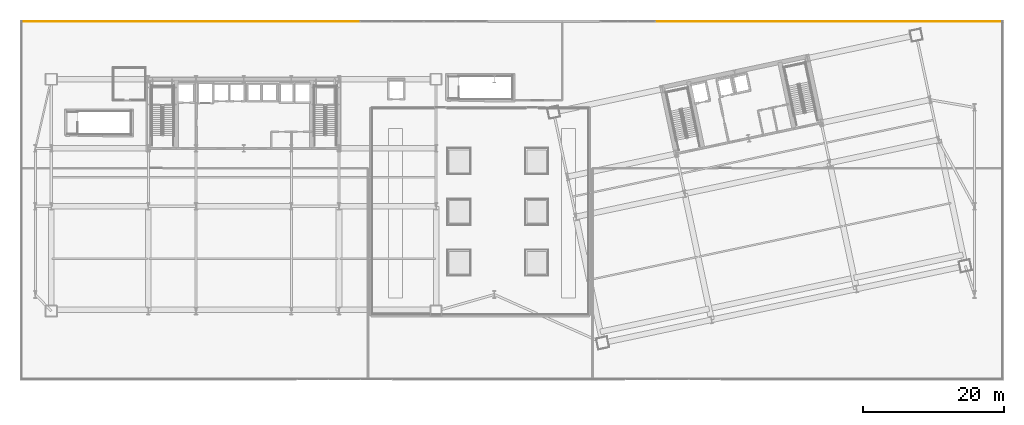
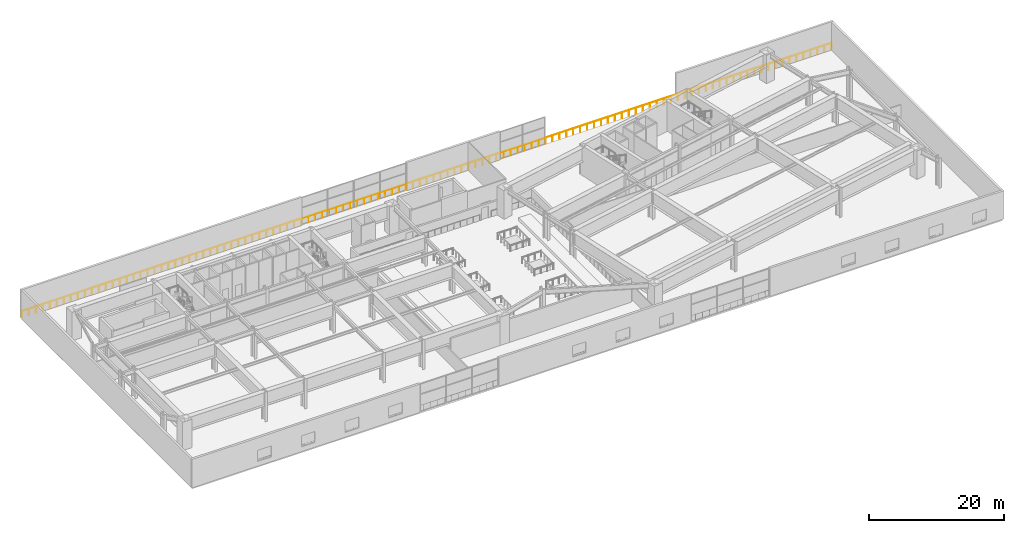
# One storey, part 27 of 29: 1 railing.
"""IFC4 building model written with IfcOpenShell, lengths in metres."""

from ifc_helpers import new_model, si_unit, direction, frame, origin, origin_2d, place, context, subcontext, project, spatial, rectangle, extrude, material, type_object, element, save


model = new_model("IFC4")

# Units and contexts
model_context = context("Model", 3, precision=1e-05, world=origin(), true_north=direction((0.0, 1.0)))
body_context = subcontext(model_context, "Body", "Model", "MODEL_VIEW")
ifc_project = project(units=[si_unit("LENGTHUNIT", "METRE"), si_unit("AREAUNIT", "SQUARE_METRE"), si_unit("VOLUMEUNIT", "CUBIC_METRE"), si_unit("PLANEANGLEUNIT", "RADIAN"), si_unit("MASSUNIT", "GRAM", prefix="KILO")], contexts=[model_context])

# Site, building, storey
site_placement = place(None, origin())
site = spatial("IfcSite", under=ifc_project, at=site_placement, CompositionType="ELEMENT")
building_placement = place(site_placement, origin())
building = spatial("IfcBuilding", under=site, at=building_placement, Name="Haevon Station Towers", CompositionType="ELEMENT")
storey_placement = place(building_placement, frame((0.0, 0.0, 25.199951171875)))
storey = spatial("IfcBuildingStorey", under=building, at=storey_placement, Name="L05", CompositionType="ELEMENT", Elevation=25.199951171875)

# Railing
ifc_material = material(Name="Steel S355", Category="steel")
railing_type = type_object("IfcRailingType", Name="GRD-EXT1200", PredefinedType="GUARDRAIL", material=ifc_material)
railing_placement = place(storey_placement, frame((144.9248046875, 56.172607421875, 0.0)))
element("IfcRailing", 1, at=railing_placement, inside=storey, type_object=railing_type, Name="L05 Perimeter Guardrail 3", PredefinedType="GUARDRAIL", context=body_context, shape_type="SweptSolid", body=[
    extrude(rectangle(XDim=0.048095703125, YDim=0.048095703125, at=origin_2d()), frame((0.0, 0.0, 1.17578125), z_axis=(-1.0, 0.0, 0.0), x_axis=(0.0, -1.0, 0.0)), (0.0, 0.0, 1.0), 138.849609375),
    extrude(rectangle(XDim=0.0419921875, YDim=0.0419921875, at=origin_2d()), origin(), (0.0, 0.0, 1.0), 1.15185546875),
    extrude(rectangle(XDim=0.0419921875, YDim=0.0419921875, at=origin_2d()), frame((-1.197021484375, 0.0, 0.0)), (0.0, 0.0, 1.0), 1.15185546875),
    extrude(rectangle(XDim=0.0419921875, YDim=0.0419921875, at=origin_2d()), frame((-2.39404296875, 0.0, 0.0)), (0.0, 0.0, 1.0), 1.15185546875),
    extrude(rectangle(XDim=0.0419921875, YDim=0.0419921875, at=origin_2d()), frame((-3.5908203125, 0.0, 0.0)), (0.0, 0.0, 1.0), 1.15185546875),
    extrude(rectangle(XDim=0.0419921875, YDim=0.0419921875, at=origin_2d()), frame((-4.787841796875, 0.0, 0.0)), (0.0, 0.0, 1.0), 1.15185546875),
    extrude(rectangle(XDim=0.0419921875, YDim=0.0419921875, at=origin_2d()), frame((-5.98486328125, 0.0, 0.0)), (0.0, 0.0, 1.0), 1.15185546875),
    extrude(rectangle(XDim=0.0419921875, YDim=0.0419921875, at=origin_2d()), frame((-7.181884765625, 0.0, 0.0)), (0.0, 0.0, 1.0), 1.15185546875),
    extrude(rectangle(XDim=0.0419921875, YDim=0.0419921875, at=origin_2d()), frame((-8.37890625, 0.0, 0.0)), (0.0, 0.0, 1.0), 1.15185546875),
    extrude(rectangle(XDim=0.0419921875, YDim=0.0419921875, at=origin_2d()), frame((-9.575927734375, 0.0, 0.0)), (0.0, 0.0, 1.0), 1.15185546875),
    extrude(rectangle(XDim=0.0419921875, YDim=0.0419921875, at=origin_2d()), frame((-10.772705078125, 0.0, 0.0)), (0.0, 0.0, 1.0), 1.15185546875),
    extrude(rectangle(XDim=0.0419921875, YDim=0.0419921875, at=origin_2d()), frame((-11.9697265625, 0.0, 0.0)), (0.0, 0.0, 1.0), 1.15185546875),
    extrude(rectangle(XDim=0.0419921875, YDim=0.0419921875, at=origin_2d()), frame((-13.166748046875, 0.0, 0.0)), (0.0, 0.0, 1.0), 1.15185546875),
    extrude(rectangle(XDim=0.0419921875, YDim=0.0419921875, at=origin_2d()), frame((-14.36376953125, 0.0, 0.0)), (0.0, 0.0, 1.0), 1.15185546875),
    extrude(rectangle(XDim=0.0419921875, YDim=0.0419921875, at=origin_2d()), frame((-15.560791015625, 0.0, 0.0)), (0.0, 0.0, 1.0), 1.15185546875),
    extrude(rectangle(XDim=0.0419921875, YDim=0.0419921875, at=origin_2d()), frame((-16.7578125, 0.0, 0.0)), (0.0, 0.0, 1.0), 1.15185546875),
    extrude(rectangle(XDim=0.0419921875, YDim=0.0419921875, at=origin_2d()), frame((-17.95458984375, 0.0, 0.0)), (0.0, 0.0, 1.0), 1.15185546875),
    extrude(rectangle(XDim=0.0419921875, YDim=0.0419921875, at=origin_2d()), frame((-19.151611328125, 0.0, 0.0)), (0.0, 0.0, 1.0), 1.15185546875),
    extrude(rectangle(XDim=0.0419921875, YDim=0.0419921875, at=origin_2d()), frame((-20.3486328125, 0.0, 0.0)), (0.0, 0.0, 1.0), 1.15185546875),
    extrude(rectangle(XDim=0.0419921875, YDim=0.0419921875, at=origin_2d()), frame((-21.545654296875, 0.0, 0.0)), (0.0, 0.0, 1.0), 1.15185546875),
    extrude(rectangle(XDim=0.0419921875, YDim=0.0419921875, at=origin_2d()), frame((-22.74267578125, 0.0, 0.0)), (0.0, 0.0, 1.0), 1.15185546875),
    extrude(rectangle(XDim=0.0419921875, YDim=0.0419921875, at=origin_2d()), frame((-23.939697265625, 0.0, 0.0)), (0.0, 0.0, 1.0), 1.15185546875),
    extrude(rectangle(XDim=0.0419921875, YDim=0.0419921875, at=origin_2d()), frame((-25.136474609375, 0.0, 0.0)), (0.0, 0.0, 1.0), 1.15185546875),
    extrude(rectangle(XDim=0.0419921875, YDim=0.0419921875, at=origin_2d()), frame((-26.33349609375, 0.0, 0.0)), (0.0, 0.0, 1.0), 1.15185546875),
    extrude(rectangle(XDim=0.0419921875, YDim=0.0419921875, at=origin_2d()), frame((-27.530517578125, 0.0, 0.0)), (0.0, 0.0, 1.0), 1.15185546875),
    extrude(rectangle(XDim=0.0419921875, YDim=0.0419921875, at=origin_2d()), frame((-28.7275390625, 0.0, 0.0)), (0.0, 0.0, 1.0), 1.15185546875),
    extrude(rectangle(XDim=0.0419921875, YDim=0.0419921875, at=origin_2d()), frame((-29.924560546875, 0.0, 0.0)), (0.0, 0.0, 1.0), 1.15185546875),
    extrude(rectangle(XDim=0.0419921875, YDim=0.0419921875, at=origin_2d()), frame((-31.12158203125, 0.0, 0.0)), (0.0, 0.0, 1.0), 1.15185546875),
    extrude(rectangle(XDim=0.0419921875, YDim=0.0419921875, at=origin_2d()), frame((-32.318359375, 0.0, 0.0)), (0.0, 0.0, 1.0), 1.15185546875),
    extrude(rectangle(XDim=0.0419921875, YDim=0.0419921875, at=origin_2d()), frame((-33.515380859375, 0.0, 0.0)), (0.0, 0.0, 1.0), 1.15185546875),
    extrude(rectangle(XDim=0.0419921875, YDim=0.0419921875, at=origin_2d()), frame((-34.71240234375, 0.0, 0.0)), (0.0, 0.0, 1.0), 1.15185546875),
    extrude(rectangle(XDim=0.0419921875, YDim=0.0419921875, at=origin_2d()), frame((-35.909423828125, 0.0, 0.0)), (0.0, 0.0, 1.0), 1.15185546875),
    extrude(rectangle(XDim=0.0419921875, YDim=0.0419921875, at=origin_2d()), frame((-37.1064453125, 0.0, 0.0)), (0.0, 0.0, 1.0), 1.15185546875),
    extrude(rectangle(XDim=0.0419921875, YDim=0.0419921875, at=origin_2d()), frame((-38.30322265625, 0.0, 0.0)), (0.0, 0.0, 1.0), 1.15185546875),
    extrude(rectangle(XDim=0.0419921875, YDim=0.0419921875, at=origin_2d()), frame((-39.500244140625, 0.0, 0.0)), (0.0, 0.0, 1.0), 1.15185546875),
    extrude(rectangle(XDim=0.0419921875, YDim=0.0419921875, at=origin_2d()), frame((-40.697265625, 0.0, 0.0)), (0.0, 0.0, 1.0), 1.15185546875),
    extrude(rectangle(XDim=0.0419921875, YDim=0.0419921875, at=origin_2d()), frame((-41.894287109375, 0.0, 0.0)), (0.0, 0.0, 1.0), 1.15185546875),
    extrude(rectangle(XDim=0.0419921875, YDim=0.0419921875, at=origin_2d()), frame((-43.09130859375, 0.0, 0.0)), (0.0, 0.0, 1.0), 1.15185546875),
    extrude(rectangle(XDim=0.0419921875, YDim=0.0419921875, at=origin_2d()), frame((-44.288330078125, 0.0, 0.0)), (0.0, 0.0, 1.0), 1.15185546875),
    extrude(rectangle(XDim=0.0419921875, YDim=0.0419921875, at=origin_2d()), frame((-45.485107421875, 0.0, 0.0)), (0.0, 0.0, 1.0), 1.15185546875),
    extrude(rectangle(XDim=0.0419921875, YDim=0.0419921875, at=origin_2d()), frame((-46.68212890625, 0.0, 0.0)), (0.0, 0.0, 1.0), 1.15185546875),
    extrude(rectangle(XDim=0.0419921875, YDim=0.0419921875, at=origin_2d()), frame((-47.879150390625, 0.0, 0.0)), (0.0, 0.0, 1.0), 1.15185546875),
    extrude(rectangle(XDim=0.0419921875, YDim=0.0419921875, at=origin_2d()), frame((-49.076171875, 0.0, 0.0)), (0.0, 0.0, 1.0), 1.15185546875),
    extrude(rectangle(XDim=0.0419921875, YDim=0.0419921875, at=origin_2d()), frame((-50.273193359375, 0.0, 0.0)), (0.0, 0.0, 1.0), 1.15185546875),
    extrude(rectangle(XDim=0.0419921875, YDim=0.0419921875, at=origin_2d()), frame((-51.47021484375, 0.0, 0.0)), (0.0, 0.0, 1.0), 1.15185546875),
    extrude(rectangle(XDim=0.0419921875, YDim=0.0419921875, at=origin_2d()), frame((-52.6669921875, 0.0, 0.0)), (0.0, 0.0, 1.0), 1.15185546875),
    extrude(rectangle(XDim=0.0419921875, YDim=0.0419921875, at=origin_2d()), frame((-53.864013671875, 0.0, 0.0)), (0.0, 0.0, 1.0), 1.15185546875),
    extrude(rectangle(XDim=0.0419921875, YDim=0.0419921875, at=origin_2d()), frame((-55.06103515625, 0.0, 0.0)), (0.0, 0.0, 1.0), 1.15185546875),
    extrude(rectangle(XDim=0.0419921875, YDim=0.0419921875, at=origin_2d()), frame((-56.258056640625, 0.0, 0.0)), (0.0, 0.0, 1.0), 1.15185546875),
    extrude(rectangle(XDim=0.0419921875, YDim=0.0419921875, at=origin_2d()), frame((-57.455078125, 0.0, 0.0)), (0.0, 0.0, 1.0), 1.15185546875),
    extrude(rectangle(XDim=0.0419921875, YDim=0.0419921875, at=origin_2d()), frame((-58.652099609375, 0.0, 0.0)), (0.0, 0.0, 1.0), 1.15185546875),
    extrude(rectangle(XDim=0.0419921875, YDim=0.0419921875, at=origin_2d()), frame((-59.848876953125, 0.0, 0.0)), (0.0, 0.0, 1.0), 1.15185546875),
    extrude(rectangle(XDim=0.0419921875, YDim=0.0419921875, at=origin_2d()), frame((-61.0458984375, 0.0, 0.0)), (0.0, 0.0, 1.0), 1.15185546875),
    extrude(rectangle(XDim=0.0419921875, YDim=0.0419921875, at=origin_2d()), frame((-62.242919921875, 0.0, 0.0)), (0.0, 0.0, 1.0), 1.15185546875),
    extrude(rectangle(XDim=0.0419921875, YDim=0.0419921875, at=origin_2d()), frame((-63.43994140625, 0.0, 0.0)), (0.0, 0.0, 1.0), 1.15185546875),
    extrude(rectangle(XDim=0.0419921875, YDim=0.0419921875, at=origin_2d()), frame((-64.636962890625, 0.0, 0.0)), (0.0, 0.0, 1.0), 1.15185546875),
    extrude(rectangle(XDim=0.0419921875, YDim=0.0419921875, at=origin_2d()), frame((-65.833984375, 0.0, 0.0)), (0.0, 0.0, 1.0), 1.15185546875),
    extrude(rectangle(XDim=0.0419921875, YDim=0.0419921875, at=origin_2d()), frame((-67.03076171875, 0.0, 0.0)), (0.0, 0.0, 1.0), 1.15185546875),
    extrude(rectangle(XDim=0.0419921875, YDim=0.0419921875, at=origin_2d()), frame((-68.227783203125, 0.0, 0.0)), (0.0, 0.0, 1.0), 1.15185546875),
    extrude(rectangle(XDim=0.0419921875, YDim=0.0419921875, at=origin_2d()), frame((-69.4248046875, 0.0, 0.0)), (0.0, 0.0, 1.0), 1.15185546875),
    extrude(rectangle(XDim=0.0419921875, YDim=0.0419921875, at=origin_2d()), frame((-70.621826171875, 0.0, 0.0)), (0.0, 0.0, 1.0), 1.15185546875),
    extrude(rectangle(XDim=0.0419921875, YDim=0.0419921875, at=origin_2d()), frame((-71.81884765625, 0.0, 0.0)), (0.0, 0.0, 1.0), 1.15185546875),
    extrude(rectangle(XDim=0.0419921875, YDim=0.0419921875, at=origin_2d()), frame((-73.015625, 0.0, 0.0)), (0.0, 0.0, 1.0), 1.15185546875),
    extrude(rectangle(XDim=0.0419921875, YDim=0.0419921875, at=origin_2d()), frame((-74.212646484375, 0.0, 0.0)), (0.0, 0.0, 1.0), 1.15185546875),
    extrude(rectangle(XDim=0.0419921875, YDim=0.0419921875, at=origin_2d()), frame((-75.40966796875, 0.0, 0.0)), (0.0, 0.0, 1.0), 1.15185546875),
    extrude(rectangle(XDim=0.0419921875, YDim=0.0419921875, at=origin_2d()), frame((-76.606689453125, 0.0, 0.0)), (0.0, 0.0, 1.0), 1.15185546875),
    extrude(rectangle(XDim=0.0419921875, YDim=0.0419921875, at=origin_2d()), frame((-77.8037109375, 0.0, 0.0)), (0.0, 0.0, 1.0), 1.15185546875),
    extrude(rectangle(XDim=0.0419921875, YDim=0.0419921875, at=origin_2d()), frame((-79.000732421875, 0.0, 0.0)), (0.0, 0.0, 1.0), 1.15185546875),
    extrude(rectangle(XDim=0.0419921875, YDim=0.0419921875, at=origin_2d()), frame((-80.197509765625, 0.0, 0.0)), (0.0, 0.0, 1.0), 1.15185546875),
    extrude(rectangle(XDim=0.0419921875, YDim=0.0419921875, at=origin_2d()), frame((-81.39453125, 0.0, 0.0)), (0.0, 0.0, 1.0), 1.15185546875),
    extrude(rectangle(XDim=0.0419921875, YDim=0.0419921875, at=origin_2d()), frame((-82.591552734375, 0.0, 0.0)), (0.0, 0.0, 1.0), 1.15185546875),
    extrude(rectangle(XDim=0.0419921875, YDim=0.0419921875, at=origin_2d()), frame((-83.78857421875, 0.0, 0.0)), (0.0, 0.0, 1.0), 1.15185546875),
    extrude(rectangle(XDim=0.0419921875, YDim=0.0419921875, at=origin_2d()), frame((-84.985595703125, 0.0, 0.0)), (0.0, 0.0, 1.0), 1.15185546875),
    extrude(rectangle(XDim=0.0419921875, YDim=0.0419921875, at=origin_2d()), frame((-86.1826171875, 0.0, 0.0)), (0.0, 0.0, 1.0), 1.15185546875),
    extrude(rectangle(XDim=0.0419921875, YDim=0.0419921875, at=origin_2d()), frame((-87.37939453125, 0.0, 0.0)), (0.0, 0.0, 1.0), 1.15185546875),
    extrude(rectangle(XDim=0.0419921875, YDim=0.0419921875, at=origin_2d()), frame((-88.576416015625, 0.0, 0.0)), (0.0, 0.0, 1.0), 1.15185546875),
    extrude(rectangle(XDim=0.0419921875, YDim=0.0419921875, at=origin_2d()), frame((-89.7734375, 0.0, 0.0)), (0.0, 0.0, 1.0), 1.15185546875),
    extrude(rectangle(XDim=0.0419921875, YDim=0.0419921875, at=origin_2d()), frame((-90.970458984375, 0.0, 0.0)), (0.0, 0.0, 1.0), 1.15185546875),
    extrude(rectangle(XDim=0.0419921875, YDim=0.0419921875, at=origin_2d()), frame((-92.16748046875, 0.0, 0.0)), (0.0, 0.0, 1.0), 1.15185546875),
    extrude(rectangle(XDim=0.0419921875, YDim=0.0419921875, at=origin_2d()), frame((-93.364501953125, 0.0, 0.0)), (0.0, 0.0, 1.0), 1.15185546875),
    extrude(rectangle(XDim=0.0419921875, YDim=0.0419921875, at=origin_2d()), frame((-94.561279296875, 0.0, 0.0)), (0.0, 0.0, 1.0), 1.15185546875),
    extrude(rectangle(XDim=0.0419921875, YDim=0.0419921875, at=origin_2d()), frame((-95.75830078125, 0.0, 0.0)), (0.0, 0.0, 1.0), 1.15185546875),
    extrude(rectangle(XDim=0.0419921875, YDim=0.0419921875, at=origin_2d()), frame((-96.955322265625, 0.0, 0.0)), (0.0, 0.0, 1.0), 1.15185546875),
    extrude(rectangle(XDim=0.0419921875, YDim=0.0419921875, at=origin_2d()), frame((-98.15234375, 0.0, 0.0)), (0.0, 0.0, 1.0), 1.15185546875),
    extrude(rectangle(XDim=0.0419921875, YDim=0.0419921875, at=origin_2d()), frame((-99.349365234375, 0.0, 0.0)), (0.0, 0.0, 1.0), 1.15185546875),
    extrude(rectangle(XDim=0.0419921875, YDim=0.0419921875, at=origin_2d()), frame((-100.54638671875, 0.0, 0.0)), (0.0, 0.0, 1.0), 1.15185546875),
    extrude(rectangle(XDim=0.0419921875, YDim=0.0419921875, at=origin_2d()), frame((-101.7431640625, 0.0, 0.0)), (0.0, 0.0, 1.0), 1.15185546875),
    extrude(rectangle(XDim=0.0419921875, YDim=0.0419921875, at=origin_2d()), frame((-102.940185546875, 0.0, 0.0)), (0.0, 0.0, 1.0), 1.15185546875),
    extrude(rectangle(XDim=0.0419921875, YDim=0.0419921875, at=origin_2d()), frame((-104.13720703125, 0.0, 0.0)), (0.0, 0.0, 1.0), 1.15185546875),
    extrude(rectangle(XDim=0.0419921875, YDim=0.0419921875, at=origin_2d()), frame((-105.334228515625, 0.0, 0.0)), (0.0, 0.0, 1.0), 1.15185546875),
    extrude(rectangle(XDim=0.0419921875, YDim=0.0419921875, at=origin_2d()), frame((-106.53125, 0.0, 0.0)), (0.0, 0.0, 1.0), 1.15185546875),
    extrude(rectangle(XDim=0.0419921875, YDim=0.0419921875, at=origin_2d()), frame((-107.72802734375, 0.0, 0.0)), (0.0, 0.0, 1.0), 1.15185546875),
    extrude(rectangle(XDim=0.0419921875, YDim=0.0419921875, at=origin_2d()), frame((-108.925048828125, 0.0, 0.0)), (0.0, 0.0, 1.0), 1.15185546875),
    extrude(rectangle(XDim=0.0419921875, YDim=0.0419921875, at=origin_2d()), frame((-110.1220703125, 0.0, 0.0)), (0.0, 0.0, 1.0), 1.15185546875),
    extrude(rectangle(XDim=0.0419921875, YDim=0.0419921875, at=origin_2d()), frame((-111.319091796875, 0.0, 0.0)), (0.0, 0.0, 1.0), 1.15185546875),
    extrude(rectangle(XDim=0.0419921875, YDim=0.0419921875, at=origin_2d()), frame((-112.51611328125, 0.0, 0.0)), (0.0, 0.0, 1.0), 1.15185546875),
    extrude(rectangle(XDim=0.0419921875, YDim=0.0419921875, at=origin_2d()), frame((-113.713134765625, 0.0, 0.0)), (0.0, 0.0, 1.0), 1.15185546875),
    extrude(rectangle(XDim=0.0419921875, YDim=0.0419921875, at=origin_2d()), frame((-114.909912109375, 0.0, 0.0)), (0.0, 0.0, 1.0), 1.15185546875),
    extrude(rectangle(XDim=0.0419921875, YDim=0.0419921875, at=origin_2d()), frame((-116.10693359375, 0.0, 0.0)), (0.0, 0.0, 1.0), 1.15185546875),
    extrude(rectangle(XDim=0.0419921875, YDim=0.0419921875, at=origin_2d()), frame((-117.303955078125, 0.0, 0.0)), (0.0, 0.0, 1.0), 1.15185546875),
    extrude(rectangle(XDim=0.0419921875, YDim=0.0419921875, at=origin_2d()), frame((-118.5009765625, 0.0, 0.0)), (0.0, 0.0, 1.0), 1.15185546875),
    extrude(rectangle(XDim=0.0419921875, YDim=0.0419921875, at=origin_2d()), frame((-119.697998046875, 0.0, 0.0)), (0.0, 0.0, 1.0), 1.15185546875),
    extrude(rectangle(XDim=0.0419921875, YDim=0.0419921875, at=origin_2d()), frame((-120.89501953125, 0.0, 0.0)), (0.0, 0.0, 1.0), 1.15185546875),
    extrude(rectangle(XDim=0.0419921875, YDim=0.0419921875, at=origin_2d()), frame((-122.091796875, 0.0, 0.0)), (0.0, 0.0, 1.0), 1.15185546875),
    extrude(rectangle(XDim=0.0419921875, YDim=0.0419921875, at=origin_2d()), frame((-123.288818359375, 0.0, 0.0)), (0.0, 0.0, 1.0), 1.15185546875),
    extrude(rectangle(XDim=0.0419921875, YDim=0.0419921875, at=origin_2d()), frame((-124.48583984375, 0.0, 0.0)), (0.0, 0.0, 1.0), 1.15185546875),
    extrude(rectangle(XDim=0.0419921875, YDim=0.0419921875, at=origin_2d()), frame((-125.682861328125, 0.0, 0.0)), (0.0, 0.0, 1.0), 1.15185546875),
    extrude(rectangle(XDim=0.0419921875, YDim=0.0419921875, at=origin_2d()), frame((-126.8798828125, 0.0, 0.0)), (0.0, 0.0, 1.0), 1.15185546875),
    extrude(rectangle(XDim=0.0419921875, YDim=0.0419921875, at=origin_2d()), frame((-128.076904296875, 0.0, 0.0)), (0.0, 0.0, 1.0), 1.15185546875),
    extrude(rectangle(XDim=0.0419921875, YDim=0.0419921875, at=origin_2d()), frame((-129.273681640625, 0.0, 0.0)), (0.0, 0.0, 1.0), 1.15185546875),
    extrude(rectangle(XDim=0.0419921875, YDim=0.0419921875, at=origin_2d()), frame((-130.470703125, 0.0, 0.0)), (0.0, 0.0, 1.0), 1.15185546875),
    extrude(rectangle(XDim=0.0419921875, YDim=0.0419921875, at=origin_2d()), frame((-131.667724609375, 0.0, 0.0)), (0.0, 0.0, 1.0), 1.15185546875),
    extrude(rectangle(XDim=0.0419921875, YDim=0.0419921875, at=origin_2d()), frame((-132.86474609375, 0.0, 0.0)), (0.0, 0.0, 1.0), 1.15185546875),
    extrude(rectangle(XDim=0.0419921875, YDim=0.0419921875, at=origin_2d()), frame((-134.061767578125, 0.0, 0.0)), (0.0, 0.0, 1.0), 1.15185546875),
    extrude(rectangle(XDim=0.0419921875, YDim=0.0419921875, at=origin_2d()), frame((-135.2587890625, 0.0, 0.0)), (0.0, 0.0, 1.0), 1.15185546875),
    extrude(rectangle(XDim=0.0419921875, YDim=0.0419921875, at=origin_2d()), frame((-136.45556640625, 0.0, 0.0)), (0.0, 0.0, 1.0), 1.15185546875),
    extrude(rectangle(XDim=0.0419921875, YDim=0.0419921875, at=origin_2d()), frame((-137.652587890625, 0.0, 0.0)), (0.0, 0.0, 1.0), 1.15185546875),
    extrude(rectangle(XDim=0.0419921875, YDim=0.0419921875, at=origin_2d()), frame((-138.849609375, 0.0, 0.0)), (0.0, 0.0, 1.0), 1.15185546875),
])

save(model, "model.ifc")
